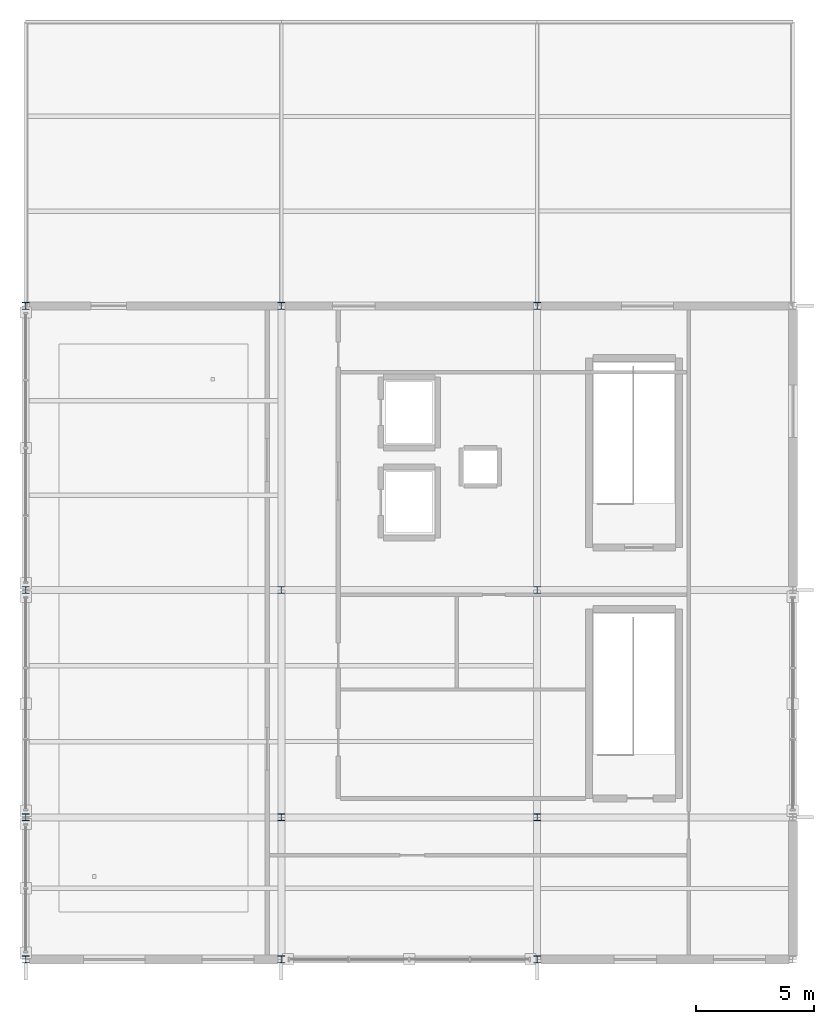
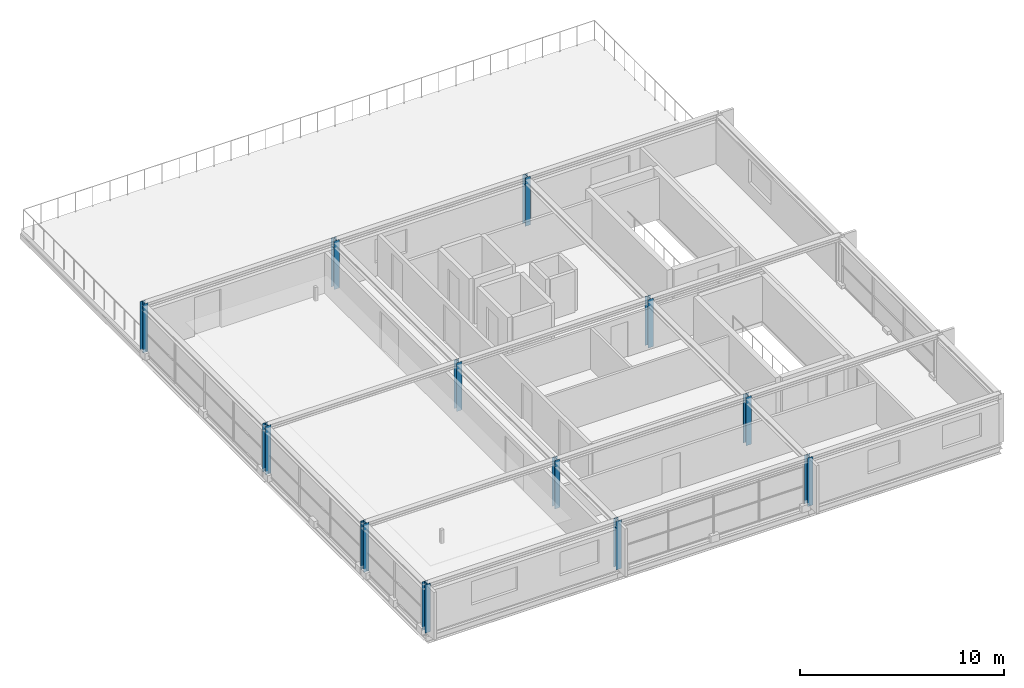
# One storey, part 1 of 14: 12 columns.
"""IFC4 building model written with IfcOpenShell, lengths in metres."""

from ifc_helpers import new_model, si_unit, direction, frame, origin, origin_2d, place, context, subcontext, project, spatial, i_section, extrude, material, material_profile, profile_set, type_object, element, save


model = new_model("IFC4")

# Units and contexts
model_context = context("Model", 3, precision=1e-05, world=origin(), true_north=direction((0.0, 1.0)))
body_context = subcontext(model_context, "Body", "Model", "MODEL_VIEW")
ifc_project = project(units=[si_unit("LENGTHUNIT", "METRE"), si_unit("AREAUNIT", "SQUARE_METRE"), si_unit("VOLUMEUNIT", "CUBIC_METRE"), si_unit("PLANEANGLEUNIT", "RADIAN"), si_unit("MASSUNIT", "GRAM", prefix="KILO")], contexts=[model_context])

# Site, building, storey
site_placement = place(None, origin())
site = spatial("IfcSite", under=ifc_project, at=site_placement, CompositionType="ELEMENT")
building_placement = place(site_placement, origin())
building = spatial("IfcBuilding", under=site, at=building_placement, Name="Merenkruunu Market Hall", CompositionType="ELEMENT")
storey_placement = place(building_placement, frame((0.0, 0.0, 18.60009765625)))
storey = spatial("IfcBuildingStorey", under=building, at=storey_placement, Name="L04", CompositionType="ELEMENT", Elevation=18.60009765625)

# Columns
ifc_material = material(Name="Steel S355J2", Category="steel")
ifc_material_profile = material_profile(ifc_material, i_section(OverallWidth=0.300048828125, OverallDepth=0.2900390625, WebThickness=0.008544921875, FlangeThickness=0.013916015625, FilletRadius=0.027099609375, at=origin_2d()), Name="HEA 300")
ifc_profile_set = profile_set([ifc_material_profile], Name="Steel S355J2")
column_type = type_object("IfcColumnType", Name="Structural Column C09", PredefinedType="COLUMN", material=ifc_profile_set)
for number, where, z_axis, x_axis, name in (
    (1, (159.60009765625, 0.0, 0.0), (0.0, 0.0, 1.0), (1.0, 0.0, 0.0), "COL-L04-R-01"),
    (2, (159.60009765625, 6.0, 0.0), (0.0, 0.0, 1.0), (1.0, 0.0, 0.0), "COL-L04-R-02"),
    (3, (159.60009765625, 15.60009765625, 0.0), (0.0, 0.0, 1.0), (1.0, 0.0, 0.0), "COL-L04-R-03"),
    (4, (159.60009765625, 27.60009765625, 0.0), (0.0, 0.0, 1.0), (1.0, 0.0, 0.0), "COL-L04-R-04"),
    (5, (170.39990234375, 0.0, 0.0), (0.0, 0.0, 1.0), (1.0, 0.0, 0.0), "COL-L04-S-01"),
    (6, (170.39990234375, 6.0, 0.0), (0.0, 0.0, 1.0), (1.0, 0.0, 0.0), "COL-L04-S-02"),
    (7, (170.39990234375, 15.60009765625, 0.0), (0.0, 0.0, 1.0), (1.0, 0.0, 0.0), "COL-L04-S-03"),
    (8, (170.39990234375, 27.60009765625, 0.0), (0.0, 0.0, 1.0), (1.0, 0.0, 0.0), "COL-L04-S-04"),
    (9, (181.199951171875, 0.0, 0.0), (0.0, 0.0, 1.0), (1.0, 0.0, 0.0), "COL-L04-T-01"),
    (10, (181.199951171875, 6.0, 0.0), (0.0, 0.0, 1.0), (1.0, 0.0, 0.0), "COL-L04-T-02"),
    (11, (181.199951171875, 15.60009765625, 0.0), (0.0, 0.0, 1.0), (1.0, 0.0, 0.0), "COL-L04-T-03"),
    (12, (181.199951171875, 27.60009765625, 0.0), (0.0, 0.0, 1.0), (1.0, 0.0, 0.0), "COL-L04-T-04"),
):
    element("IfcColumn", number, at=place(storey_placement, frame(where, z_axis=z_axis, x_axis=x_axis)), inside=storey, type_object=column_type, Name=name, PredefinedType="COLUMN", context=body_context, shape_type="SweptSolid", body=[
        extrude(i_section(OverallWidth=0.300048828125, OverallDepth=0.2900390625, WebThickness=0.008544921875, FlangeThickness=0.013916015625, FilletRadius=0.027099609375, at=origin_2d()), origin(), (0.0, 0.0, 1.0), 2.89990234375),
    ])

save(model, "model.ifc")
